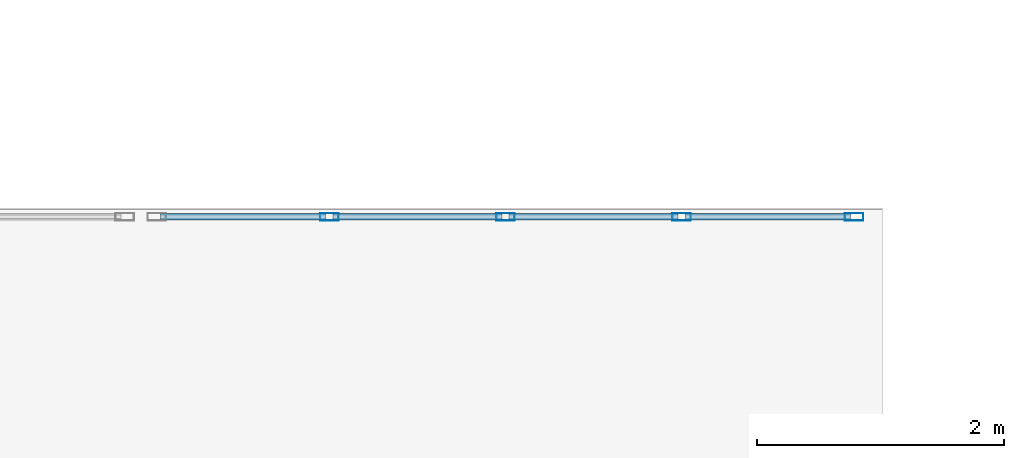
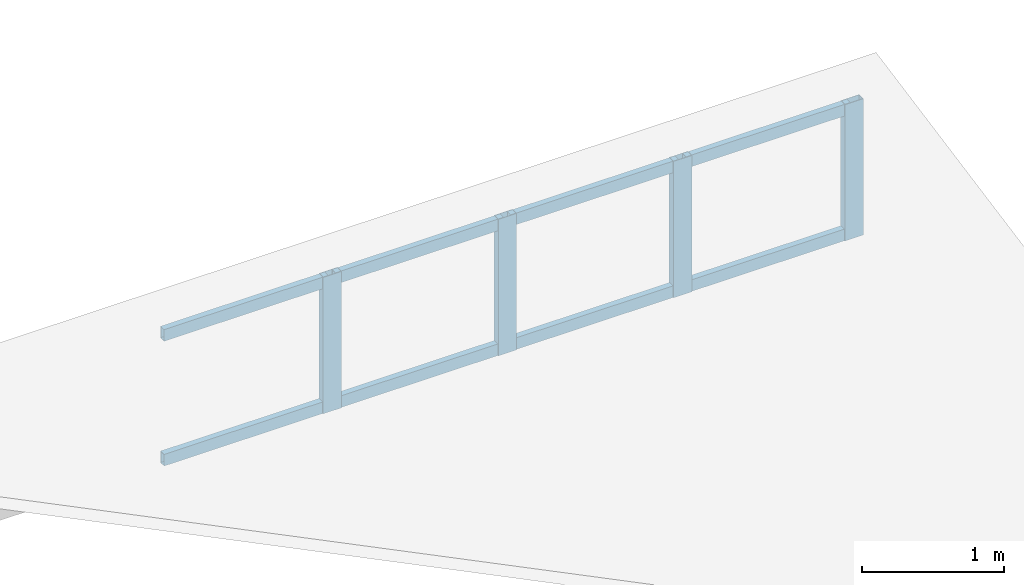
# One storey, part 45 of 101: 12 members, 1 element without a shape of its own.
"""IFC4 building model written with IfcOpenShell, lengths in metres."""

from ifc_helpers import new_model, si_unit, direction, frame, origin, origin_2d, place, context, subcontext, project, spatial, hollow_rectangle, extrude, material, material_profile, profile_set, type_object, element, aggregate, save


model = new_model("IFC4")

# Units and contexts
model_context = context("Model", 3, precision=1e-05, world=origin(), true_north=direction((0.0, 1.0)))
body_context = subcontext(model_context, "Body", "Model", "MODEL_VIEW")
ifc_project = project(units=[si_unit("LENGTHUNIT", "METRE"), si_unit("AREAUNIT", "SQUARE_METRE"), si_unit("VOLUMEUNIT", "CUBIC_METRE"), si_unit("PLANEANGLEUNIT", "RADIAN"), si_unit("MASSUNIT", "GRAM", prefix="KILO")], contexts=[model_context])

# Site, building, storey
site_placement = place(None, origin())
site = spatial("IfcSite", under=ifc_project, at=site_placement, CompositionType="ELEMENT")
building_placement = place(site_placement, origin())
building = spatial("IfcBuilding", under=site, at=building_placement, Name="Laocheng Heights Fire and Rescue Headquarters", CompositionType="ELEMENT")
storey_placement = place(building_placement, frame((0.0, 0.0, 8.39990234375)))
storey = spatial("IfcBuildingStorey", under=building, at=storey_placement, Name="L02", CompositionType="ELEMENT", Elevation=8.39990234375)

# Curtain wall, members
ifc_material_1 = material(Name="Aluminium unitised curtain wall, low-e double glazing", Category="aluminium")
curtain_wall_type = type_object("IfcCurtainWallType", Name="CW 5700 x 1173 WORKSHOP UNIT", PredefinedType="NOTDEFINED", material=ifc_material_1)
curtain_wall_placement = place(storey_placement, origin())
curtain_wall = element("IfcCurtainWall", 1, at=curtain_wall_placement, inside=storey, type_object=curtain_wall_type, Name="Sawtooth glazing tooth 3", PredefinedType="NOTDEFINED")
ifc_material_2 = material(Name="Aluminium 6063-T5 extrusion", Category="aluminium")
ifc_material_profile_1 = material_profile(ifc_material_2, hollow_rectangle(XDim=0.06005859375, YDim=0.14990234375, WallThickness=0.0029296875, at=origin_2d()), Name="AL MULLION 150x60x3")
ifc_profile_set_1 = profile_set([ifc_material_profile_1], Name="Aluminium 6063-T5 extrusion")
member_type_1 = type_object("IfcMemberType", Name="AL CURTAIN WALL MULLION 150x60x3 SAWTOOTH", PredefinedType="MULLION", material=ifc_profile_set_1)
member_1_placement = place(storey_placement, frame((121.52490234375, 21.5400390625, 0.0), z_axis=(0.0, 0.0, 1.0), x_axis=(0.0, 1.0, 0.0)))
member_1 = element("IfcMember", 2, at=member_1_placement, type_object=member_type_1, Name="X2-O mullion 2", PredefinedType="MULLION", context=body_context, shape_type="SweptSolid", body=[
    extrude(hollow_rectangle(XDim=0.06005859375, YDim=0.14990234375, WallThickness=0.0029296875, at=origin_2d()), origin(), (0.0, 0.0, 1.0), 1.173095703125),
])
member_2_placement = place(storey_placement, frame((122.949951171875, 21.5400390625, 0.0), z_axis=(0.0, 0.0, 1.0), x_axis=(0.0, 1.0, 0.0)))
member_2 = element("IfcMember", 3, at=member_2_placement, type_object=member_type_1, Name="X2-O mullion 3", PredefinedType="MULLION", context=body_context, shape_type="SweptSolid", body=[
    extrude(hollow_rectangle(XDim=0.06005859375, YDim=0.14990234375, WallThickness=0.0029296875, at=origin_2d()), origin(), (0.0, 0.0, 1.0), 1.173095703125),
])
member_3_placement = place(storey_placement, frame((124.375, 21.5400390625, 0.0), z_axis=(0.0, 0.0, 1.0), x_axis=(0.0, 1.0, 0.0)))
member_3 = element("IfcMember", 4, at=member_3_placement, type_object=member_type_1, Name="X2-O mullion 4", PredefinedType="MULLION", context=body_context, shape_type="SweptSolid", body=[
    extrude(hollow_rectangle(XDim=0.06005859375, YDim=0.14990234375, WallThickness=0.0029296875, at=origin_2d()), origin(), (0.0, 0.0, 1.0), 1.173095703125),
])
member_4_placement = place(storey_placement, frame((125.77001953125, 21.5400390625, 0.0), z_axis=(0.0, 0.0, 1.0), x_axis=(0.0, 1.0, 0.0)))
member_4 = element("IfcMember", 5, at=member_4_placement, type_object=member_type_1, Name="X2-O mullion 5", PredefinedType="MULLION", context=body_context, shape_type="SweptSolid", body=[
    extrude(hollow_rectangle(XDim=0.06005859375, YDim=0.14990234375, WallThickness=0.0029296875, at=origin_2d()), origin(), (0.0, 0.0, 1.0), 1.173095703125),
])
ifc_material_3 = material(Name="Aluminium 6063-T5 extrusion", Category="aluminium")
ifc_material_profile_2 = material_profile(ifc_material_3, hollow_rectangle(XDim=0.050048828125, YDim=0.10009765625, WallThickness=0.0029296875, at=origin_2d()), Name="AL TRANSOM 100x50x3")
ifc_profile_set_2 = profile_set([ifc_material_profile_2], Name="Aluminium 6063-T5 extrusion")
member_type_2 = type_object("IfcMemberType", Name="AL CURTAIN WALL TRANSOM 100x50x3 SAWTOOTH", PredefinedType="USERDEFINED", material=ifc_profile_set_2)
member_5_placement = place(storey_placement, frame((120.159912109375, 21.5400390625, 0.050048828125), z_axis=(1.0, 0.0, 0.0), x_axis=(0.0, 1.0, 0.0)))
member_5 = element("IfcMember", 6, at=member_5_placement, type_object=member_type_2, Name="X2-O transom 1.1", ObjectType="TRANSOM", PredefinedType="USERDEFINED", context=body_context, shape_type="SweptSolid", body=[
    extrude(hollow_rectangle(XDim=0.050048828125, YDim=0.10009765625, WallThickness=0.0029296875, at=origin_2d()), origin(), (0.0, 0.0, 1.0), 1.335205078125),
])
member_6_placement = place(storey_placement, frame((120.159912109375, 21.5400390625, 1.123046875), z_axis=(1.0, 0.0, 0.0), x_axis=(0.0, 1.0, 0.0)))
member_6 = element("IfcMember", 7, at=member_6_placement, type_object=member_type_2, Name="X2-O transom 1.2", ObjectType="TRANSOM", PredefinedType="USERDEFINED", context=body_context, shape_type="SweptSolid", body=[
    extrude(hollow_rectangle(XDim=0.050048828125, YDim=0.10009765625, WallThickness=0.0029296875, at=origin_2d()), origin(), (0.0, 0.0, 1.0), 1.335205078125),
])
member_7_placement = place(storey_placement, frame((121.554931640625, 21.5400390625, 0.050048828125), z_axis=(1.0, 0.0, 0.0), x_axis=(0.0, 1.0, 0.0)))
member_7 = element("IfcMember", 8, at=member_7_placement, type_object=member_type_2, Name="X2-O transom 2.1", ObjectType="TRANSOM", PredefinedType="USERDEFINED", context=body_context, shape_type="SweptSolid", body=[
    extrude(hollow_rectangle(XDim=0.050048828125, YDim=0.10009765625, WallThickness=0.0029296875, at=origin_2d()), origin(), (0.0, 0.0, 1.0), 1.364990234375),
])
member_8_placement = place(storey_placement, frame((121.554931640625, 21.5400390625, 1.123046875), z_axis=(1.0, 0.0, 0.0), x_axis=(0.0, 1.0, 0.0)))
member_8 = element("IfcMember", 9, at=member_8_placement, type_object=member_type_2, Name="X2-O transom 2.2", ObjectType="TRANSOM", PredefinedType="USERDEFINED", context=body_context, shape_type="SweptSolid", body=[
    extrude(hollow_rectangle(XDim=0.050048828125, YDim=0.10009765625, WallThickness=0.0029296875, at=origin_2d()), origin(), (0.0, 0.0, 1.0), 1.364990234375),
])
member_9_placement = place(storey_placement, frame((122.97998046875, 21.5400390625, 0.050048828125), z_axis=(1.0, 0.0, 0.0), x_axis=(0.0, 1.0, 0.0)))
member_9 = element("IfcMember", 10, at=member_9_placement, type_object=member_type_2, Name="X2-O transom 3.1", ObjectType="TRANSOM", PredefinedType="USERDEFINED", context=body_context, shape_type="SweptSolid", body=[
    extrude(hollow_rectangle(XDim=0.050048828125, YDim=0.10009765625, WallThickness=0.0029296875, at=origin_2d()), origin(), (0.0, 0.0, 1.0), 1.364990234375),
])
member_10_placement = place(storey_placement, frame((122.97998046875, 21.5400390625, 1.123046875), z_axis=(1.0, 0.0, 0.0), x_axis=(0.0, 1.0, 0.0)))
member_10 = element("IfcMember", 11, at=member_10_placement, type_object=member_type_2, Name="X2-O transom 3.2", ObjectType="TRANSOM", PredefinedType="USERDEFINED", context=body_context, shape_type="SweptSolid", body=[
    extrude(hollow_rectangle(XDim=0.050048828125, YDim=0.10009765625, WallThickness=0.0029296875, at=origin_2d()), origin(), (0.0, 0.0, 1.0), 1.364990234375),
])
member_11_placement = place(storey_placement, frame((124.405029296875, 21.5400390625, 0.050048828125), z_axis=(1.0, 0.0, 0.0), x_axis=(0.0, 1.0, 0.0)))
member_11 = element("IfcMember", 12, at=member_11_placement, type_object=member_type_2, Name="X2-O transom 4.1", ObjectType="TRANSOM", PredefinedType="USERDEFINED", context=body_context, shape_type="SweptSolid", body=[
    extrude(hollow_rectangle(XDim=0.050048828125, YDim=0.10009765625, WallThickness=0.0029296875, at=origin_2d()), origin(), (0.0, 0.0, 1.0), 1.3349609375),
])
member_12_placement = place(storey_placement, frame((124.405029296875, 21.5400390625, 1.123046875), z_axis=(1.0, 0.0, 0.0), x_axis=(0.0, 1.0, 0.0)))
member_12 = element("IfcMember", 13, at=member_12_placement, type_object=member_type_2, Name="X2-O transom 4.2", ObjectType="TRANSOM", PredefinedType="USERDEFINED", context=body_context, shape_type="SweptSolid", body=[
    extrude(hollow_rectangle(XDim=0.050048828125, YDim=0.10009765625, WallThickness=0.0029296875, at=origin_2d()), origin(), (0.0, 0.0, 1.0), 1.3349609375),
])
aggregate(curtain_wall, [member_1, member_2, member_3, member_4, member_5, member_6, member_7, member_8, member_9, member_10, member_11, member_12])

save(model, "model.ifc")
